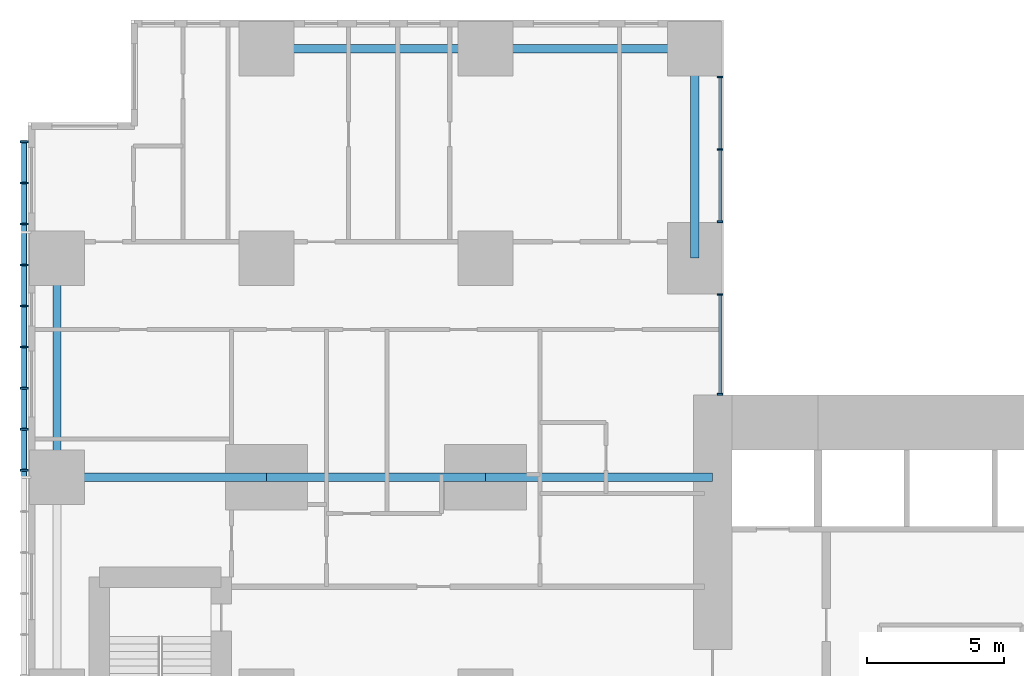
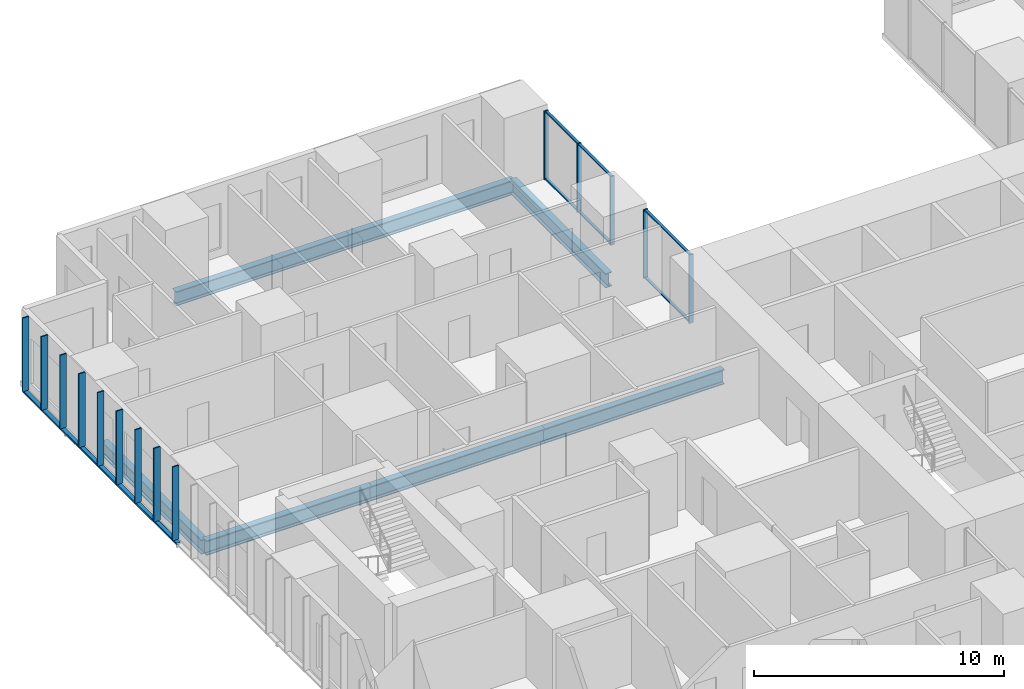
# One storey, part 4 of 20: 21 members, 7 beams, 2 elements without a shape of their own.
"""IFC4 building model written with IfcOpenShell, lengths in metres."""

from ifc_helpers import new_model, si_unit, direction, frame, origin, origin_2d, place, context, subcontext, project, spatial, rectangle, hollow_rectangle, i_section, extrude, material, layer, layer_set, material_profile, profile_set, type_object, element, aggregate, save


model = new_model("IFC4")

# Units and contexts
model_context = context("Model", 3, precision=1e-05, world=origin(), true_north=direction((0.0, 1.0)))
body_context = subcontext(model_context, "Body", "Model", "MODEL_VIEW")
ifc_project = project(units=[si_unit("LENGTHUNIT", "METRE"), si_unit("AREAUNIT", "SQUARE_METRE"), si_unit("VOLUMEUNIT", "CUBIC_METRE"), si_unit("PLANEANGLEUNIT", "RADIAN"), si_unit("MASSUNIT", "GRAM", prefix="KILO")], contexts=[model_context])

# Site, building, storey
site_placement = place(None, origin())
site = spatial("IfcSite", under=ifc_project, at=site_placement, CompositionType="ELEMENT")
building_placement = place(site_placement, origin())
building = spatial("IfcBuilding", under=site, at=building_placement, Name="Cleftline Residences", CompositionType="ELEMENT")
storey_placement = place(building_placement, frame((0.0, 0.0, 121.39990234375)))
storey = spatial("IfcBuildingStorey", under=building, at=storey_placement, Name="L31", CompositionType="ELEMENT", Elevation=121.39990234375)

# Member
ifc_material_1 = material(Name="Steel S355, hot-dip galvanised", Category="steel")
ifc_material_profile_1 = material_profile(ifc_material_1, hollow_rectangle(XDim=0.10009765625, YDim=0.199951171875, WallThickness=0.008056640625, InnerFilletRadius=0.008056640625, OuterFilletRadius=0.011962890625, at=origin_2d()))
ifc_profile_set_1 = profile_set([ifc_material_profile_1], Name="Steel S355, hot-dip galvanised")
member_type_1 = type_object("IfcMemberType", Name="BAGUETTE CARRIER RHS 200X100X8", PredefinedType="USERDEFINED", material=ifc_profile_set_1)
member_1_placement = place(storey_placement, frame((-0.85009765625, 44.300048828125, -0.0498046875), z_axis=(0.0, -1.0, 0.0), x_axis=(0.0, 0.0, 1.0)))
element("IfcMember", 1, at=member_1_placement, inside=storey, type_object=member_type_1, Name="Baguette carrier", ObjectType="BAGUETTE CARRIER", PredefinedType="USERDEFINED", context=body_context, shape_type="SweptSolid", body=[
    extrude(hollow_rectangle(XDim=0.10009765625, YDim=0.199951171875, WallThickness=0.008056640625, InnerFilletRadius=0.008056640625, OuterFilletRadius=0.011962890625, at=origin_2d()), origin(), (0.0, 0.0, 1.0), 12.300048828125),
])

# Beams
ifc_material_2 = material(Name="Steel S355", Category="steel")
ifc_material_profile_2 = material_profile(ifc_material_2, i_section(OverallWidth=0.300048828125, OverallDepth=0.699951171875, WebThickness=0.01708984375, FlangeThickness=0.031982421875, FilletRadius=0.027099609375, at=origin_2d()))
ifc_profile_set_2 = profile_set([ifc_material_profile_2], Name="Steel S355")
beam_type_1 = type_object("IfcBeamType", Name="BEAM HEB 700", PredefinedType="BEAM", material=ifc_profile_set_2)
for number, where, z_axis, x_axis, name in (
    (2, (0.35009765625, 32.0, -0.599853515625), (0.0, 1.0, 0.0), (-1.0, 0.0, 0.0), "Edge beam"),
    (3, (8.0, 47.64990234375, -0.599853515625), (1.0, 0.0, 0.0), (0.0, 1.0, 0.0), "Edge beam"),
):
    element("IfcBeam", number, at=place(storey_placement, frame(where, z_axis=z_axis, x_axis=x_axis)), inside=storey, type_object=beam_type_1, Name=name, PredefinedType="BEAM", context=body_context, shape_type="SweptSolid", body=[
        extrude(i_section(OverallWidth=0.300048828125, OverallDepth=0.699951171875, WebThickness=0.01708984375, FlangeThickness=0.031982421875, FilletRadius=0.027099609375, at=origin_2d()), origin(), (0.0, 0.0, 1.0), 8.0),
    ])
for number, where, z_axis, x_axis, name in (
    (4, (16.0, 47.64990234375, -0.599853515625), (1.0, 0.0, 0.0), (0.0, 1.0, 0.0), "Edge beam"),
    (5, (23.64990234375, 47.64990234375, -0.599853515625), (0.0, -1.0, 0.0), (1.0, 0.0, 0.0), "Edge beam"),
):
    element("IfcBeam", number, at=place(storey_placement, frame(where, z_axis=z_axis, x_axis=x_axis)), inside=storey, type_object=beam_type_1, Name=name, PredefinedType="BEAM", context=body_context, shape_type="SweptSolid", body=[
        extrude(i_section(OverallWidth=0.300048828125, OverallDepth=0.699951171875, WebThickness=0.01708984375, FlangeThickness=0.031982421875, FilletRadius=0.027099609375, at=origin_2d()), origin(), (0.0, 0.0, 1.0), 7.64990234375),
    ])
ifc_material_3 = material(Name="Steel S355", Category="steel")
ifc_material_profile_3 = material_profile(ifc_material_3, i_section(OverallWidth=0.303955078125, OverallDepth=0.716064453125, WebThickness=0.02099609375, FlangeThickness=0.0400390625, FilletRadius=0.027099609375, at=origin_2d()))
ifc_profile_set_3 = profile_set([ifc_material_profile_3], Name="Steel S355")
beam_type_2 = type_object("IfcBeamType", Name="BEAM HEM 700", PredefinedType="BEAM", material=ifc_profile_set_3)
beam_1_placement = place(storey_placement, frame((0.35009765625, 32.0, -0.60791015625), z_axis=(1.0, 0.0, 0.0), x_axis=(0.0, 1.0, 0.0)))
element("IfcBeam", 6, at=beam_1_placement, inside=storey, type_object=beam_type_2, Name="Band beam", PredefinedType="BEAM", context=body_context, shape_type="SweptSolid", body=[
    extrude(i_section(OverallWidth=0.303955078125, OverallDepth=0.716064453125, WebThickness=0.02099609375, FlangeThickness=0.0400390625, FilletRadius=0.027099609375, at=origin_2d()), origin(), (0.0, 0.0, 1.0), 7.64990234375),
])
beam_2_placement = place(storey_placement, frame((8.0, 32.0, -0.60791015625), z_axis=(1.0, 0.0, 0.0), x_axis=(0.0, 1.0, 0.0)))
element("IfcBeam", 7, at=beam_2_placement, inside=storey, type_object=beam_type_2, Name="Band beam", PredefinedType="BEAM", context=body_context, shape_type="SweptSolid", body=[
    extrude(i_section(OverallWidth=0.303955078125, OverallDepth=0.716064453125, WebThickness=0.02099609375, FlangeThickness=0.0400390625, FilletRadius=0.027099609375, at=origin_2d()), origin(), (0.0, 0.0, 1.0), 8.0),
])
beam_3_placement = place(storey_placement, frame((16.0, 32.0, -0.60791015625), z_axis=(1.0, 0.0, 0.0), x_axis=(0.0, 1.0, 0.0)))
element("IfcBeam", 8, at=beam_3_placement, inside=storey, type_object=beam_type_2, Name="Band beam", PredefinedType="BEAM", context=body_context, shape_type="SweptSolid", body=[
    extrude(i_section(OverallWidth=0.303955078125, OverallDepth=0.716064453125, WebThickness=0.02099609375, FlangeThickness=0.0400390625, FilletRadius=0.027099609375, at=origin_2d()), origin(), (0.0, 0.0, 1.0), 8.300048828125),
])

# Curtain wall, members
ifc_material_4 = material(Name="Aluminium framed curtain wall", Category="aluminium")
ifc_layer = layer(ifc_material_4, 0.199951171875)
ifc_layer_set = layer_set([ifc_layer], Name="CW1 CLEFT GLAZING")
curtain_wall_type = type_object("IfcCurtainWallType", Name="CW1 CLEFT GLAZING", PredefinedType="NOTDEFINED", material=ifc_layer_set)
curtain_wall_1_placement = place(storey_placement, origin())
curtain_wall_1 = element("IfcCurtainWall", 9, at=curtain_wall_1_placement, inside=storey, type_object=curtain_wall_type, Name="Curtain wall CW1", PredefinedType="NOTDEFINED")
ifc_material_5 = material(Name="Aluminium mullion", Category="aluminium")
ifc_material_profile_4 = material_profile(ifc_material_5, rectangle(XDim=0.199951171875, YDim=0.06005859375, at=origin_2d()))
ifc_profile_set_4 = profile_set([ifc_material_profile_4], Name="Aluminium mullion")
member_type_2 = type_object("IfcMemberType", Name="CW1 MULLION", PredefinedType="MULLION", material=ifc_profile_set_4)
member_2_placement = place(storey_placement, frame((24.574951171875, 35.030029296875, 0.0), z_axis=(0.0, 0.0, 1.0), x_axis=(-1.0, 0.0, 0.0)))
member_2 = element("IfcMember", 10, at=member_2_placement, type_object=member_type_2, Name="CW1 mullion 1", PredefinedType="MULLION", context=body_context, shape_type="SweptSolid", body=[
    extrude(rectangle(XDim=0.199951171875, YDim=0.06005859375, at=origin_2d()), origin(), (0.0, 0.0, 1.0), 3.35009765625),
])
member_3_placement = place(storey_placement, frame((24.574951171875, 38.669921875, 0.0), z_axis=(0.0, 0.0, 1.0), x_axis=(-1.0, 0.0, 0.0)))
member_3 = element("IfcMember", 11, at=member_3_placement, type_object=member_type_2, Name="CW1 mullion 2", PredefinedType="MULLION", context=body_context, shape_type="SweptSolid", body=[
    extrude(rectangle(XDim=0.199951171875, YDim=0.06005859375, at=origin_2d()), origin(), (0.0, 0.0, 1.0), 3.35009765625),
])

curtain_wall_2_placement = place(storey_placement, origin())
curtain_wall_2 = element("IfcCurtainWall", 12, at=curtain_wall_2_placement, inside=storey, type_object=curtain_wall_type, Name="Curtain wall CW1", PredefinedType="NOTDEFINED")
member_4_placement = place(storey_placement, frame((24.574951171875, 41.330078125, 0.0), z_axis=(0.0, 0.0, 1.0), x_axis=(-1.0, 0.0, 0.0)))
member_4 = element("IfcMember", 13, at=member_4_placement, type_object=member_type_2, Name="CW1 mullion 1", PredefinedType="MULLION", context=body_context, shape_type="SweptSolid", body=[
    extrude(rectangle(XDim=0.199951171875, YDim=0.06005859375, at=origin_2d()), origin(), (0.0, 0.0, 1.0), 3.35009765625),
])
member_5_placement = place(storey_placement, frame((24.574951171875, 43.97509765625, 0.0), z_axis=(0.0, 0.0, 1.0), x_axis=(-1.0, 0.0, 0.0)))
member_5 = element("IfcMember", 14, at=member_5_placement, type_object=member_type_2, Name="CW1 mullion 2", PredefinedType="MULLION", context=body_context, shape_type="SweptSolid", body=[
    extrude(rectangle(XDim=0.199951171875, YDim=0.06005859375, at=origin_2d()), origin(), (0.0, 0.0, 1.0), 3.35009765625),
])
member_6_placement = place(storey_placement, frame((24.574951171875, 46.6201171875, 0.0), z_axis=(0.0, 0.0, 1.0), x_axis=(-1.0, 0.0, 0.0)))
member_6 = element("IfcMember", 15, at=member_6_placement, type_object=member_type_2, Name="CW1 mullion 3", PredefinedType="MULLION", context=body_context, shape_type="SweptSolid", body=[
    extrude(rectangle(XDim=0.199951171875, YDim=0.06005859375, at=origin_2d()), origin(), (0.0, 0.0, 1.0), 3.35009765625),
])

# Member
ifc_material_6 = material(Name="Aluminium transom", Category="aluminium")
ifc_material_profile_5 = material_profile(ifc_material_6, rectangle(XDim=0.1201171875, YDim=0.06005859375, at=origin_2d()))
ifc_profile_set_5 = profile_set([ifc_material_profile_5], Name="Aluminium transom")
member_type_3 = type_object("IfcMemberType", Name="CW1 TRANSOM", PredefinedType="USERDEFINED", material=ifc_profile_set_5)
member_7_placement = place(storey_placement, frame((24.574951171875, 35.06005859375, 0.030029296875), z_axis=(0.0, 1.0, 0.0), x_axis=(-1.0, 0.0, 0.0)))
member_7 = element("IfcMember", 16, at=member_7_placement, type_object=member_type_3, Name="CW1 transom 1.1", ObjectType="TRANSOM", PredefinedType="USERDEFINED", context=body_context, shape_type="SweptSolid", body=[
    extrude(rectangle(XDim=0.1201171875, YDim=0.06005859375, at=origin_2d()), origin(), (0.0, 0.0, 1.0), 3.579833984375),
])

member_8_placement = place(storey_placement, frame((24.574951171875, 35.06005859375, 3.320068359375), z_axis=(0.0, 1.0, 0.0), x_axis=(-1.0, 0.0, 0.0)))
member_8 = element("IfcMember", 17, at=member_8_placement, type_object=member_type_3, Name="CW1 transom 1.2", ObjectType="TRANSOM", PredefinedType="USERDEFINED", context=body_context, shape_type="SweptSolid", body=[
    extrude(rectangle(XDim=0.1201171875, YDim=0.06005859375, at=origin_2d()), origin(), (0.0, 0.0, 1.0), 3.579833984375),
])

aggregate(curtain_wall_1, [member_2, member_3, member_7, member_8])

member_9_placement = place(storey_placement, frame((24.574951171875, 41.360107421875, 0.030029296875), z_axis=(0.0, 1.0, 0.0), x_axis=(-1.0, 0.0, 0.0)))
member_9 = element("IfcMember", 18, at=member_9_placement, type_object=member_type_3, Name="CW1 transom 1.1", ObjectType="TRANSOM", PredefinedType="USERDEFINED", context=body_context, shape_type="SweptSolid", body=[
    extrude(rectangle(XDim=0.1201171875, YDim=0.06005859375, at=origin_2d()), origin(), (0.0, 0.0, 1.0), 2.5849609375),
])

member_10_placement = place(storey_placement, frame((24.574951171875, 41.360107421875, 3.320068359375), z_axis=(0.0, 1.0, 0.0), x_axis=(-1.0, 0.0, 0.0)))
member_10 = element("IfcMember", 19, at=member_10_placement, type_object=member_type_3, Name="CW1 transom 1.2", ObjectType="TRANSOM", PredefinedType="USERDEFINED", context=body_context, shape_type="SweptSolid", body=[
    extrude(rectangle(XDim=0.1201171875, YDim=0.06005859375, at=origin_2d()), origin(), (0.0, 0.0, 1.0), 2.5849609375),
])

member_11_placement = place(storey_placement, frame((24.574951171875, 44.0048828125, 0.030029296875), z_axis=(0.0, 1.0, 0.0), x_axis=(-1.0, 0.0, 0.0)))
member_11 = element("IfcMember", 20, at=member_11_placement, type_object=member_type_3, Name="CW1 transom 2.1", ObjectType="TRANSOM", PredefinedType="USERDEFINED", context=body_context, shape_type="SweptSolid", body=[
    extrude(rectangle(XDim=0.1201171875, YDim=0.06005859375, at=origin_2d()), origin(), (0.0, 0.0, 1.0), 2.585205078125),
])

member_12_placement = place(storey_placement, frame((24.574951171875, 44.0048828125, 3.320068359375), z_axis=(0.0, 1.0, 0.0), x_axis=(-1.0, 0.0, 0.0)))
member_12 = element("IfcMember", 21, at=member_12_placement, type_object=member_type_3, Name="CW1 transom 2.2", ObjectType="TRANSOM", PredefinedType="USERDEFINED", context=body_context, shape_type="SweptSolid", body=[
    extrude(rectangle(XDim=0.1201171875, YDim=0.06005859375, at=origin_2d()), origin(), (0.0, 0.0, 1.0), 2.585205078125),
])

aggregate(curtain_wall_2, [member_4, member_5, member_6, member_9, member_10, member_11, member_12])

# Members
ifc_material_7 = material(Name="Extruded terracotta", Category="masonry")
ifc_material_profile_6 = material_profile(ifc_material_7, rectangle(XDim=0.06005859375, YDim=0.300048828125, at=origin_2d()))
ifc_profile_set_6 = profile_set([ifc_material_profile_6], Name="Extruded terracotta")
member_type_4 = type_object("IfcMemberType", Name="TERRACOTTA BAGUETTE 60X300", PredefinedType="USERDEFINED", material=ifc_profile_set_6)
for number, where, z_axis, x_axis, name in (
    (22, (-0.85009765625, 44.25, 0.0), (0.0, 0.0, 1.0), (0.0, 1.0, 0.0), "Terracotta baguette"),
    (23, (-0.85009765625, 42.75, 0.0), (0.0, 0.0, 1.0), (0.0, 1.0, 0.0), "Terracotta baguette"),
    (24, (-0.85009765625, 41.25, 0.0), (0.0, 0.0, 1.0), (0.0, 1.0, 0.0), "Terracotta baguette"),
    (25, (-0.85009765625, 39.75, 0.0), (0.0, 0.0, 1.0), (0.0, 1.0, 0.0), "Terracotta baguette"),
    (26, (-0.85009765625, 38.25, 0.0), (0.0, 0.0, 1.0), (0.0, 1.0, 0.0), "Terracotta baguette"),
    (27, (-0.85009765625, 36.75, 0.0), (0.0, 0.0, 1.0), (0.0, 1.0, 0.0), "Terracotta baguette"),
    (28, (-0.85009765625, 35.25, 0.0), (0.0, 0.0, 1.0), (0.0, 1.0, 0.0), "Terracotta baguette"),
    (29, (-0.85009765625, 33.75, 0.0), (0.0, 0.0, 1.0), (0.0, 1.0, 0.0), "Terracotta baguette"),
    (30, (-0.85009765625, 32.25, 0.0), (0.0, 0.0, 1.0), (0.0, 1.0, 0.0), "Terracotta baguette"),
):
    element("IfcMember", number, at=place(storey_placement, frame(where, z_axis=z_axis, x_axis=x_axis)), inside=storey, type_object=member_type_4, Name=name, ObjectType="BAGUETTE", PredefinedType="USERDEFINED", context=body_context, shape_type="SweptSolid", body=[
        extrude(rectangle(XDim=0.06005859375, YDim=0.300048828125, at=origin_2d()), origin(), (0.0, 0.0, 1.0), 3.60009765625),
    ])

save(model, "model.ifc")
